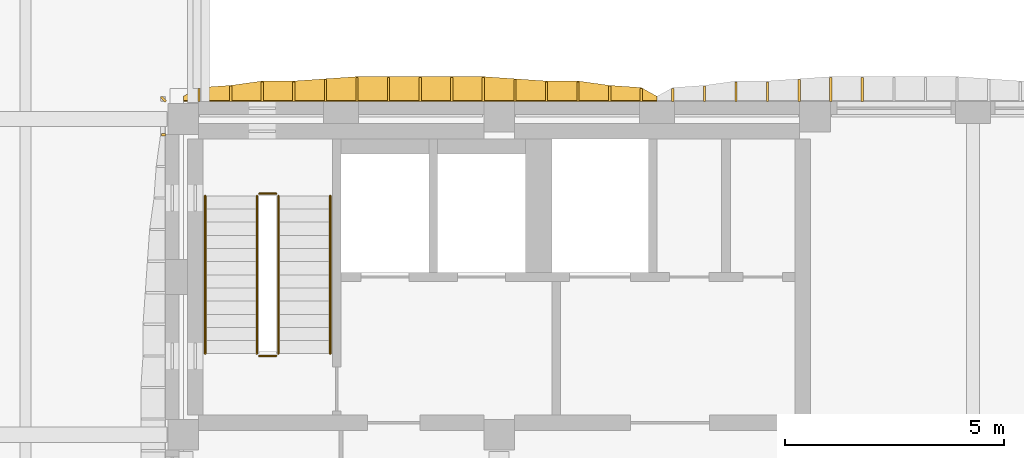
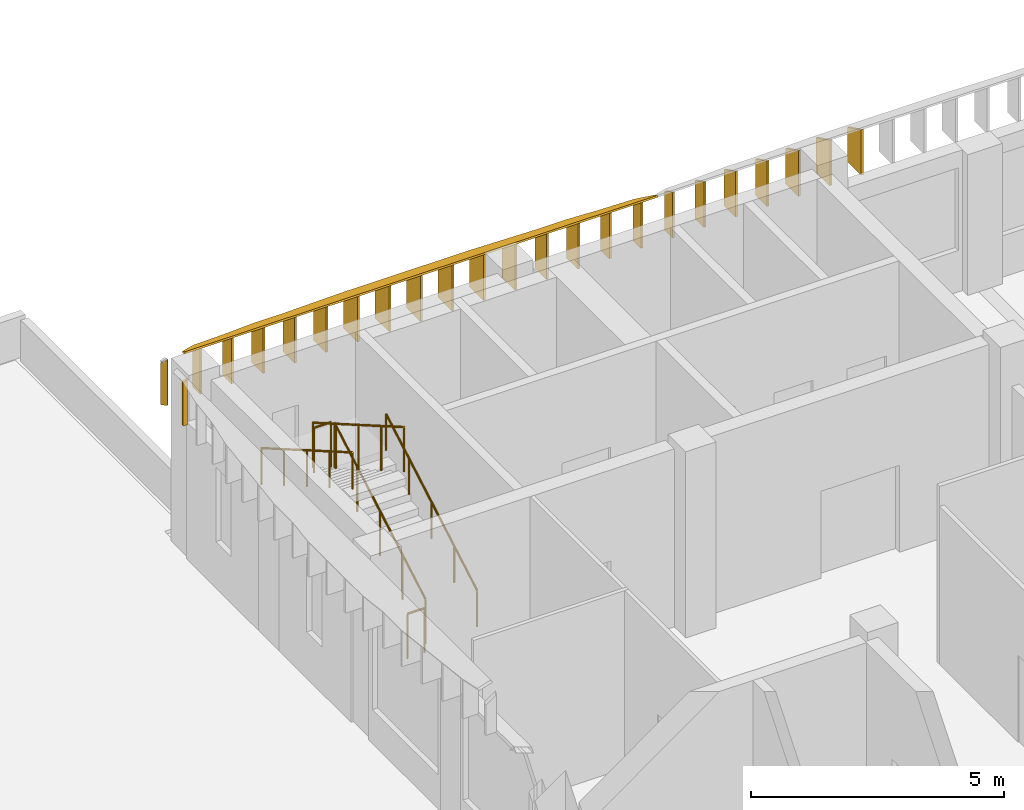
# One storey, part 26 of 44: 25 shading devices, 6 railings.
"""IFC4 building model written with IfcOpenShell, lengths in metres."""

from ifc_helpers import new_model, si_unit, direction, frame, origin, origin_2d, place, context, subcontext, project, spatial, polyline, circle, outline, extrude, material, layer, layer_set, type_object, element, save


model = new_model("IFC4")

# Units and contexts
model_context = context("Model", 3, precision=1e-05, world=origin(), true_north=direction((0.0, 1.0)))
body_context = subcontext(model_context, "Body", "Model", "MODEL_VIEW")
ifc_project = project(units=[si_unit("LENGTHUNIT", "METRE"), si_unit("AREAUNIT", "SQUARE_METRE"), si_unit("VOLUMEUNIT", "CUBIC_METRE"), si_unit("PLANEANGLEUNIT", "RADIAN"), si_unit("MASSUNIT", "GRAM", prefix="KILO")], contexts=[model_context])

# Site, building, storey
site_placement = place(None, origin())
site = spatial("IfcSite", under=ifc_project, at=site_placement, CompositionType="ELEMENT")
building_placement = place(site_placement, origin())
building = spatial("IfcBuilding", under=site, at=building_placement, Name="Ussher Court Research Institute", CompositionType="ELEMENT")
storey_placement = place(building_placement, frame((0.0, 0.0, 18.89990234375)))
storey = spatial("IfcBuildingStorey", under=building, at=storey_placement, Name="L04", CompositionType="ELEMENT", Elevation=18.89990234375)

# Shading devices
ifc_material_1 = material(Name="Bronze anodised aluminium", Category="aluminium")
ifc_layer_1 = layer(ifc_material_1, 0.050048828125)
ifc_layer_set_1 = layer_set([ifc_layer_1], Name="Bronze anodised aluminium")
shading_device_type_1 = type_object("IfcShadingDeviceType", Name="Brim blade 100 mm deep 1100 mm high canted 26 deg wet", PredefinedType="USERDEFINED", material=ifc_layer_set_1)
shading_device_1_placement = place(storey_placement, frame((81.800048828125, 32.43994140625, 3.35009765625), z_axis=(0.0, 0.0, 1.0), x_axis=(-1.0, 0.0, 0.0)))
element("IfcShadingDevice", 1, at=shading_device_1_placement, inside=storey, type_object=shading_device_type_1, Name="Brim blade BS10 L04", ObjectType="BLADE", PredefinedType="USERDEFINED", context=body_context, shape_type="SweptSolid", body=[
    extrude(outline(polyline([(0.0, 0.0), (0.10009765625, 0.0), (0.10009765625, 1.05126953125), (0.0, 1.10009765625), (0.0, 0.0)])), frame((0.0, 0.02490234375, 0.0), z_axis=(0.0, -1.0, 0.0), x_axis=(1.0, 0.0, 0.0)), (0.0, 0.0, 1.0), 0.050048828125),
])
ifc_material_2 = material(Name="Bronze anodised aluminium", Category="aluminium")
ifc_layer_2 = layer(ifc_material_2, 0.050048828125)
ifc_layer_set_2 = layer_set([ifc_layer_2], Name="Bronze anodised aluminium")
shading_device_type_2 = type_object("IfcShadingDeviceType", Name="Brim blade 300 mm deep 1100 mm high canted 26 deg wet", PredefinedType="USERDEFINED", material=ifc_layer_set_2)
for number, where, z_axis, x_axis, name in (
    (2, (82.56005859375, 33.199951171875, 3.35009765625), (0.0, 0.0, 1.0), (0.0, 1.0, 0.0), "Brim blade BS06 L04"),
    (3, (92.639892578125, 33.199951171875, 3.35009765625), (0.0, 0.0, 1.0), (0.0, 1.0, 0.0), "Brim blade BS06 L04"),
    (4, (93.360107421875, 33.199951171875, 3.35009765625), (0.0, 0.0, 1.0), (0.0, 1.0, 0.0), "Brim blade BS06 L04"),
):
    element("IfcShadingDevice", number, at=place(storey_placement, frame(where, z_axis=z_axis, x_axis=x_axis)), inside=storey, type_object=shading_device_type_2, Name=name, ObjectType="BLADE", PredefinedType="USERDEFINED", context=body_context, shape_type="SweptSolid", body=[
        extrude(outline(polyline([(0.0, 0.0), (0.300048828125, 0.0), (0.300048828125, 0.95361328125), (0.0, 1.10009765625), (0.0, 0.0)])), frame((0.0, 0.02490234375, 0.0), z_axis=(0.0, -1.0, 0.0), x_axis=(1.0, 0.0, 0.0)), (0.0, 0.0, 1.0), 0.050048828125),
    ])
ifc_material_3 = material(Name="Bronze anodised aluminium", Category="aluminium")
ifc_layer_3 = layer(ifc_material_3, 0.050048828125)
ifc_layer_set_3 = layer_set([ifc_layer_3], Name="Bronze anodised aluminium")
shading_device_type_3 = type_object("IfcShadingDeviceType", Name="Brim blade 350 mm deep 1100 mm high canted 26 deg wet", PredefinedType="USERDEFINED", material=ifc_layer_set_3)
for number, where, z_axis, x_axis, name in (
    (5, (83.280029296875, 33.199951171875, 3.35009765625), (0.0, 0.0, 1.0), (0.0, 1.0, 0.0), "Brim blade BS05 L04"),
    (6, (91.919921875, 33.199951171875, 3.35009765625), (0.0, 0.0, 1.0), (0.0, 1.0, 0.0), "Brim blade BS05 L04"),
    (7, (94.080078125, 33.199951171875, 3.35009765625), (0.0, 0.0, 1.0), (0.0, 1.0, 0.0), "Brim blade BS05 L04"),
):
    element("IfcShadingDevice", number, at=place(storey_placement, frame(where, z_axis=z_axis, x_axis=x_axis)), inside=storey, type_object=shading_device_type_3, Name=name, ObjectType="BLADE", PredefinedType="USERDEFINED", context=body_context, shape_type="SweptSolid", body=[
        extrude(outline(polyline([(0.0, 0.0), (0.35009765625, 0.0), (0.35009765625, 0.92919921875), (0.0, 1.10009765625), (0.0, 0.0)])), frame((0.0, 0.02490234375, 0.0), z_axis=(0.0, -1.0, 0.0), x_axis=(1.0, 0.0, 0.0)), (0.0, 0.0, 1.0), 0.050048828125),
    ])
ifc_material_4 = material(Name="Bronze anodised aluminium", Category="aluminium")
ifc_layer_4 = layer(ifc_material_4, 0.050048828125)
ifc_layer_set_4 = layer_set([ifc_layer_4], Name="Bronze anodised aluminium")
shading_device_type_4 = type_object("IfcShadingDeviceType", Name="Brim blade 450 mm deep 1100 mm high canted 26 deg wet", PredefinedType="USERDEFINED", material=ifc_layer_set_4)
for number, where, z_axis, x_axis, name in (
    (8, (84.0, 33.199951171875, 3.35009765625), (0.0, 0.0, 1.0), (0.0, 1.0, 0.0), "Brim blade BS03 L04"),
    (9, (84.719970703125, 33.199951171875, 3.35009765625), (0.0, 0.0, 1.0), (0.0, 1.0, 0.0), "Brim blade BS03 L04"),
    (10, (90.47998046875, 33.199951171875, 3.35009765625), (0.0, 0.0, 1.0), (0.0, 1.0, 0.0), "Brim blade BS03 L04"),
    (11, (91.199951171875, 33.199951171875, 3.35009765625), (0.0, 0.0, 1.0), (0.0, 1.0, 0.0), "Brim blade BS03 L04"),
    (12, (94.800048828125, 33.199951171875, 3.35009765625), (0.0, 0.0, 1.0), (0.0, 1.0, 0.0), "Brim blade BS03 L04"),
    (13, (95.52001953125, 33.199951171875, 3.35009765625), (0.0, 0.0, 1.0), (0.0, 1.0, 0.0), "Brim blade BS03 L04"),
):
    element("IfcShadingDevice", number, at=place(storey_placement, frame(where, z_axis=z_axis, x_axis=x_axis)), inside=storey, type_object=shading_device_type_4, Name=name, ObjectType="BLADE", PredefinedType="USERDEFINED", context=body_context, shape_type="SweptSolid", body=[
        extrude(outline(polyline([(0.0, 0.0), (0.449951171875, 0.0), (0.449951171875, 0.880615234375), (0.0, 1.10009765625), (0.0, 0.0)])), frame((0.0, 0.02490234375, 0.0), z_axis=(0.0, -1.0, 0.0), x_axis=(1.0, 0.0, 0.0)), (0.0, 0.0, 1.0), 0.050048828125),
    ])
ifc_material_5 = material(Name="Bronze anodised aluminium", Category="aluminium")
ifc_layer_5 = layer(ifc_material_5, 0.050048828125)
ifc_layer_set_5 = layer_set([ifc_layer_5], Name="Bronze anodised aluminium")
shading_device_type_5 = type_object("IfcShadingDeviceType", Name="Brim blade 500 mm deep 1100 mm high canted 26 deg wet", PredefinedType="USERDEFINED", material=ifc_layer_set_5)
for number, where, z_axis, x_axis, name in (
    (14, (85.43994140625, 33.199951171875, 3.35009765625), (0.0, 0.0, 1.0), (0.0, 1.0, 0.0), "Brim blade BS02 L04"),
    (15, (89.760009765625, 33.199951171875, 3.35009765625), (0.0, 0.0, 1.0), (0.0, 1.0, 0.0), "Brim blade BS02 L04"),
    (16, (96.239990234375, 33.199951171875, 3.35009765625), (0.0, 0.0, 1.0), (0.0, 1.0, 0.0), "Brim blade BS02 L04"),
):
    element("IfcShadingDevice", number, at=place(storey_placement, frame(where, z_axis=z_axis, x_axis=x_axis)), inside=storey, type_object=shading_device_type_5, Name=name, ObjectType="BLADE", PredefinedType="USERDEFINED", context=body_context, shape_type="SweptSolid", body=[
        extrude(outline(polyline([(0.0, 0.0), (0.5, 0.0), (0.5, 0.856201171875), (0.0, 1.10009765625), (0.0, 0.0)])), frame((0.0, 0.02490234375, 0.0), z_axis=(0.0, -1.0, 0.0), x_axis=(1.0, 0.0, 0.0)), (0.0, 0.0, 1.0), 0.050048828125),
    ])
ifc_material_6 = material(Name="Bronze anodised aluminium", Category="aluminium")
ifc_layer_6 = layer(ifc_material_6, 0.050048828125)
ifc_layer_set_6 = layer_set([ifc_layer_6], Name="Bronze anodised aluminium")
shading_device_type_6 = type_object("IfcShadingDeviceType", Name="Brim blade 550 mm deep 1100 mm high canted 26 deg wet", PredefinedType="USERDEFINED", material=ifc_layer_set_6)
for number, where, z_axis, x_axis, name in (
    (17, (86.159912109375, 33.199951171875, 3.35009765625), (0.0, 0.0, 1.0), (0.0, 1.0, 0.0), "Brim blade BS01 L04"),
    (18, (86.8798828125, 33.199951171875, 3.35009765625), (0.0, 0.0, 1.0), (0.0, 1.0, 0.0), "Brim blade BS01 L04"),
    (19, (87.60009765625, 33.199951171875, 3.35009765625), (0.0, 0.0, 1.0), (0.0, 1.0, 0.0), "Brim blade BS01 L04"),
    (20, (88.320068359375, 33.199951171875, 3.35009765625), (0.0, 0.0, 1.0), (0.0, 1.0, 0.0), "Brim blade BS01 L04"),
    (21, (89.0400390625, 33.199951171875, 3.35009765625), (0.0, 0.0, 1.0), (0.0, 1.0, 0.0), "Brim blade BS01 L04"),
    (22, (96.9599609375, 33.199951171875, 3.35009765625), (0.0, 0.0, 1.0), (0.0, 1.0, 0.0), "Brim blade BS01 L04"),
    (23, (97.679931640625, 33.199951171875, 3.35009765625), (0.0, 0.0, 1.0), (0.0, 1.0, 0.0), "Brim blade BS01 L04"),
):
    element("IfcShadingDevice", number, at=place(storey_placement, frame(where, z_axis=z_axis, x_axis=x_axis)), inside=storey, type_object=shading_device_type_6, Name=name, ObjectType="BLADE", PredefinedType="USERDEFINED", context=body_context, shape_type="SweptSolid", body=[
        extrude(outline(polyline([(0.0, 0.0), (0.550048828125, 0.0), (0.550048828125, 0.831787109375), (0.0, 1.10009765625), (0.0, 0.0)])), frame((0.0, 0.02490234375, 0.0), z_axis=(0.0, -1.0, 0.0), x_axis=(1.0, 0.0, 0.0)), (0.0, 0.0, 1.0), 0.050048828125),
    ])
ifc_material_7 = material(Name="Bronze anodised aluminium", Category="aluminium")
ifc_layer_7 = layer(ifc_material_7, 0.050048828125)
ifc_layer_set_7 = layer_set([ifc_layer_7], Name="Bronze anodised aluminium")
shading_device_type_7 = type_object("IfcShadingDeviceType", Name="Brim mitre blade 100 mm deep 1100 mm high canted 26 deg wet", PredefinedType="USERDEFINED", material=ifc_layer_set_7)
shading_device_2_placement = place(storey_placement, frame((81.800048828125, 33.199951171875, 3.35009765625), z_axis=(0.0, 0.0, 1.0), x_axis=(-0.707106781187, 0.707106781187, 0.0)))
element("IfcShadingDevice", 24, at=shading_device_2_placement, inside=storey, type_object=shading_device_type_7, Name="Brim mitre blade BS18 L04", ObjectType="BLADE", PredefinedType="USERDEFINED", context=body_context, shape_type="SweptSolid", body=[
    extrude(outline(polyline([(0.0, 0.0), (0.1416015625, 0.0), (0.141357421875, 1.00244140625), (0.0, 1.10009765625), (0.0, 0.0)])), frame((0.0, 0.02490234375, 0.0), z_axis=(0.0, -1.0, 0.0), x_axis=(1.0, 0.0, 0.0)), (0.0, 0.0, 1.0), 0.050048828125),
])
ifc_material_8 = material(Name="Bronze anodised aluminium", Category="aluminium")
ifc_layer_8 = layer(ifc_material_8, 0.0400390625)
ifc_layer_set_8 = layer_set([ifc_layer_8], Name="Bronze anodised aluminium")
shading_device_type_8 = type_object("IfcShadingDeviceType", Name="Brim visor sheet 40 mm canted 26 deg wet", PredefinedType="USERDEFINED", material=ifc_layer_set_8)
shading_device_3_placement = place(storey_placement, frame((82.199951171875, 33.217529296875, 4.486083984375), z_axis=(0.0, 0.438493442835, 0.898734388232), x_axis=(1.0, 0.0, 0.0)))
element("IfcShadingDevice", 25, at=shading_device_3_placement, inside=storey, type_object=shading_device_type_8, Name="Brim visor sheet BR1 L04", ObjectType="BRIM", PredefinedType="USERDEFINED", context=body_context, shape_type="SweptSolid", body=[
    extrude(outline(polyline([(0.0, 0.0), (10.800048828125, 0.0), (10.800048828125, 0.11115260091647443), (10.43994140625, 0.3338966378999272), (9.719970703125, 0.3893632295705384), (9.0, 0.5006281939990725), (8.280029296875, 0.5006281939990725), (7.56005859375, 0.5563142032449357), (6.840087890625, 0.612000212490799), (6.1201171875, 0.612000212490799), (5.400146484375, 0.612000212490799), (4.679931640625, 0.612000212490799), (3.9599609375, 0.612000212490799), (3.239990234375, 0.5563142032449357), (2.52001953125, 0.5006281939990725), (1.800048828125, 0.5006281939990725), (1.080078125, 0.3893632295705384), (0.360107421875, 0.3338966378999272), (0.0, 0.11115260091647443), (0.0, 0.0)])), origin(), (0.0, 0.0, -1.0), 0.0400390625),
])

# Railings
ifc_material_9 = material(Name="Painted steel balustrade", Category="steel")
railing_type_1 = type_object("IfcRailingType", Name="Stair guard 1100 steel balustrade", PredefinedType="GUARDRAIL", material=ifc_material_9)
railing_1_placement = place(storey_placement, frame((84.3701171875, 27.449951171875, 0.173095703125)))
element("IfcRailing", 26, at=railing_1_placement, inside=storey, type_object=railing_type_1, Name="L04 T1 stair guard 1", PredefinedType="GUARDRAIL", context=body_context, shape_type="SweptSolid", body=[
    extrude(circle(Radius=0.02392578125, at=origin_2d()), frame((0.0, 0.0, 1.076171875), z_axis=(0.0, 0.866193409371, 0.499708892819), x_axis=(-1.0, 0.0, 0.0)), (0.0, 0.0, 1.0), 4.15625),
    extrude(circle(Radius=0.02099609375, at=origin_2d()), origin(), (0.0, 0.0, 1.0), 1.052001953125),
    extrude(circle(Radius=0.02099609375, at=origin_2d()), frame((0.0, 0.89990234375, 0.519287109375)), (0.0, 0.0, 1.0), 1.052001953125),
    extrude(circle(Radius=0.02099609375, at=origin_2d()), frame((0.0, 1.800048828125, 1.03857421875)), (0.0, 0.0, 1.0), 1.052001953125),
    extrude(circle(Radius=0.02099609375, at=origin_2d()), frame((0.0, 2.7001953125, 1.5576171875)), (0.0, 0.0, 1.0), 1.052001953125),
    extrude(circle(Radius=0.02099609375, at=origin_2d()), frame((0.0, 3.60009765625, 2.076904296875)), (0.0, 0.0, 1.0), 1.052001953125),
])
railing_2_placement = place(storey_placement, frame((84.320068359375, 31.10009765625, 2.25)))
element("IfcRailing", 27, at=railing_2_placement, inside=storey, type_object=railing_type_1, Name="L04 T1 stair guard 2", PredefinedType="GUARDRAIL", context=body_context, shape_type="SweptSolid", body=[
    extrude(circle(Radius=0.02392578125, at=origin_2d()), frame((0.0, 0.0, 1.076171875), z_axis=(-1.0, 0.0, 0.0), x_axis=(0.0, -1.0, 0.0)), (0.0, 0.0, 1.0), 0.39013671875),
    extrude(circle(Radius=0.02099609375, at=origin_2d()), origin(), (0.0, 0.0, 1.0), 1.052001953125),
    extrude(circle(Radius=0.02099609375, at=origin_2d()), frame((-0.39013671875, 0.0, 0.0)), (0.0, 0.0, 1.0), 1.052001953125),
])
railing_3_placement = place(storey_placement, frame((83.8798828125, 31.050048828125, 2.423095703125)))
element("IfcRailing", 28, at=railing_3_placement, inside=storey, type_object=railing_type_1, Name="L04 T1 stair guard 3", PredefinedType="GUARDRAIL", context=body_context, shape_type="SweptSolid", body=[
    extrude(circle(Radius=0.02392578125, at=origin_2d()), frame((0.0, 0.0, 1.076171875), z_axis=(0.0, -0.866193409371, 0.499708892819), x_axis=(1.0, 0.0, 0.0)), (0.0, 0.0, 1.0), 4.15625),
    extrude(circle(Radius=0.02099609375, at=origin_2d()), origin(), (0.0, 0.0, 1.0), 1.052001953125),
    extrude(circle(Radius=0.02099609375, at=origin_2d()), frame((0.0, -0.89990234375, 0.519287109375)), (0.0, 0.0, 1.0), 1.052001953125),
    extrude(circle(Radius=0.02099609375, at=origin_2d()), frame((0.0, -1.800048828125, 1.03857421875)), (0.0, 0.0, 1.0), 1.052001953125),
    extrude(circle(Radius=0.02099609375, at=origin_2d()), frame((0.0, -2.7001953125, 1.5576171875)), (0.0, 0.0, 1.0), 1.052001953125),
    extrude(circle(Radius=0.02099609375, at=origin_2d()), frame((0.0, -3.60009765625, 2.076904296875)), (0.0, 0.0, 1.0), 1.052001953125),
])
railing_4_placement = place(storey_placement, frame((84.320068359375, 27.39990234375, 0.0)))
element("IfcRailing", 29, at=railing_4_placement, inside=storey, type_object=railing_type_1, Name="L04 T1 stair guard 4", PredefinedType="GUARDRAIL", context=body_context, shape_type="SweptSolid", body=[
    extrude(circle(Radius=0.02392578125, at=origin_2d()), frame((0.0, 0.0, 1.076171875), z_axis=(-1.0, 0.0, 0.0), x_axis=(0.0, -1.0, 0.0)), (0.0, 0.0, 1.0), 0.39013671875),
    extrude(circle(Radius=0.02099609375, at=origin_2d()), origin(), (0.0, 0.0, 1.0), 1.052001953125),
    extrude(circle(Radius=0.02099609375, at=origin_2d()), frame((-0.39013671875, 0.0, 0.0)), (0.0, 0.0, 1.0), 1.052001953125),
])
ifc_material_10 = material(Name="Painted steel handrail", Category="steel")
railing_type_2 = type_object("IfcRailingType", Name="Stair handrail 900 steel", PredefinedType="HANDRAIL", material=ifc_material_10)
railing_5_placement = place(storey_placement, frame((85.550048828125, 27.449951171875, 0.173095703125)))
element("IfcRailing", 30, at=railing_5_placement, inside=storey, type_object=railing_type_2, Name="L04 T1 stair handrail 1", PredefinedType="HANDRAIL", context=body_context, shape_type="SweptSolid", body=[
    extrude(circle(Radius=0.02392578125, at=origin_2d()), frame((0.0, 0.0, 0.8759765625), z_axis=(0.0, 0.866193409371, 0.499708892819), x_axis=(-1.0, 0.0, 0.0)), (0.0, 0.0, 1.0), 4.15625),
    extrude(circle(Radius=0.02099609375, at=origin_2d()), origin(), (0.0, 0.0, 1.0), 0.851806640625),
    extrude(circle(Radius=0.02099609375, at=origin_2d()), frame((0.0, 0.89990234375, 0.519287109375)), (0.0, 0.0, 1.0), 0.851806640625),
    extrude(circle(Radius=0.02099609375, at=origin_2d()), frame((0.0, 1.800048828125, 1.03857421875)), (0.0, 0.0, 1.0), 0.851806640625),
    extrude(circle(Radius=0.02099609375, at=origin_2d()), frame((0.0, 2.7001953125, 1.5576171875)), (0.0, 0.0, 1.0), 0.851806640625),
    extrude(circle(Radius=0.02099609375, at=origin_2d()), frame((0.0, 3.60009765625, 2.076904296875)), (0.0, 0.0, 1.0), 0.851806640625),
])
railing_6_placement = place(storey_placement, frame((82.699951171875, 31.050048828125, 2.423095703125)))
element("IfcRailing", 31, at=railing_6_placement, inside=storey, type_object=railing_type_2, Name="L04 T1 stair handrail 2", PredefinedType="HANDRAIL", context=body_context, shape_type="SweptSolid", body=[
    extrude(circle(Radius=0.02392578125, at=origin_2d()), frame((0.0, 0.0, 0.8759765625), z_axis=(0.0, -0.866193409371, 0.499708892819), x_axis=(1.0, 0.0, 0.0)), (0.0, 0.0, 1.0), 4.15625),
    extrude(circle(Radius=0.02099609375, at=origin_2d()), origin(), (0.0, 0.0, 1.0), 0.851806640625),
    extrude(circle(Radius=0.02099609375, at=origin_2d()), frame((0.0, -0.89990234375, 0.519287109375)), (0.0, 0.0, 1.0), 0.851806640625),
    extrude(circle(Radius=0.02099609375, at=origin_2d()), frame((0.0, -1.800048828125, 1.03857421875)), (0.0, 0.0, 1.0), 0.851806640625),
    extrude(circle(Radius=0.02099609375, at=origin_2d()), frame((0.0, -2.7001953125, 1.5576171875)), (0.0, 0.0, 1.0), 0.851806640625),
    extrude(circle(Radius=0.02099609375, at=origin_2d()), frame((0.0, -3.60009765625, 2.076904296875)), (0.0, 0.0, 1.0), 0.851806640625),
])

save(model, "model.ifc")
